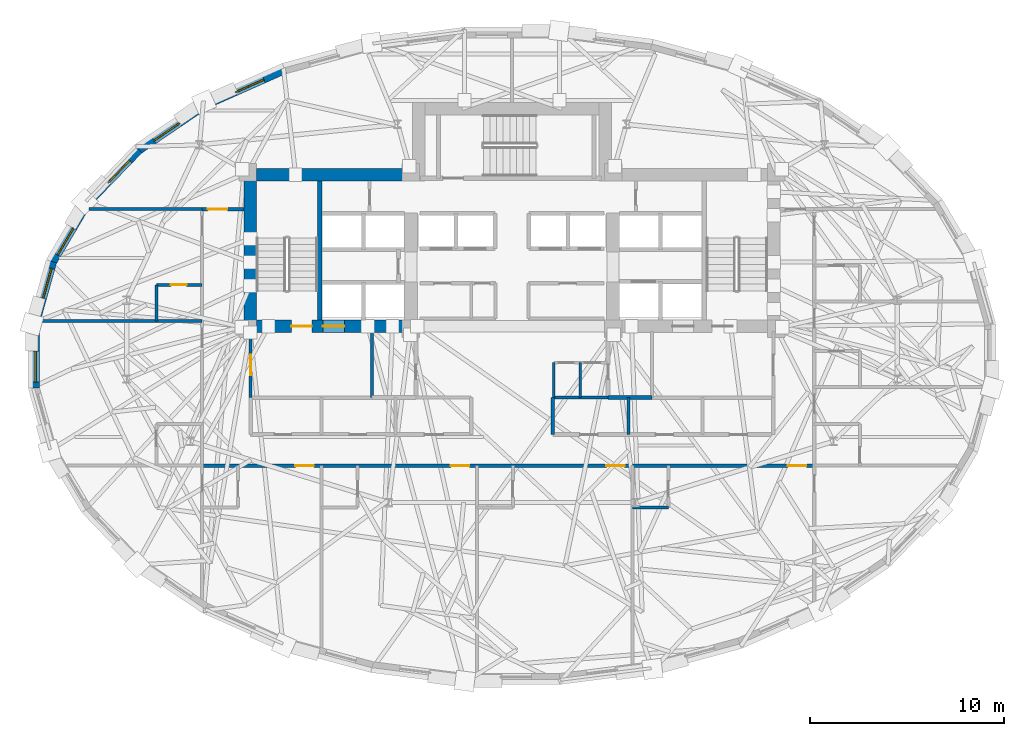
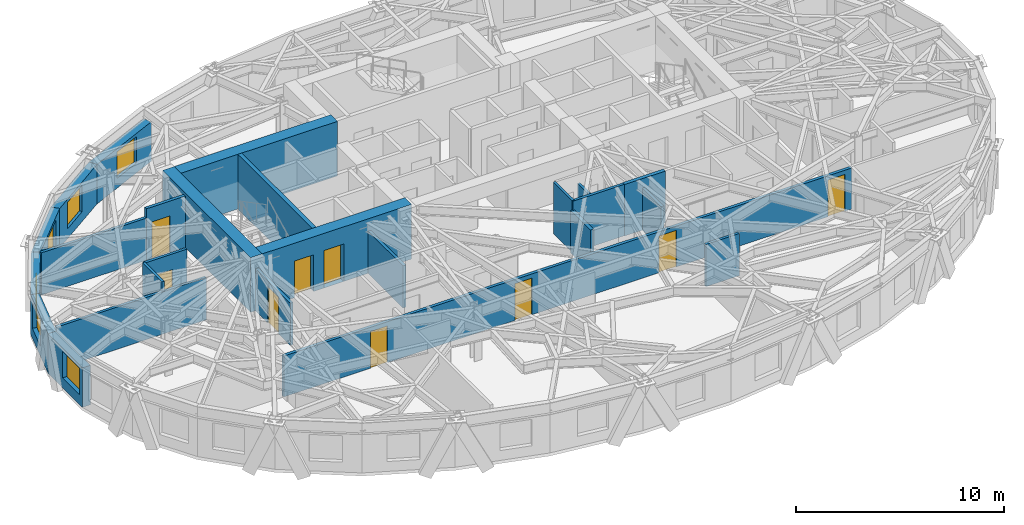
# One storey, part 7 of 15: 25 walls, 9 doors, 6 windows, 15 openings.
"""IFC4 building model written with IfcOpenShell, lengths in metres."""

from ifc_helpers import new_model, si_unit, direction, frame, frame_2d, origin, place, context, subcontext, project, spatial, rectangle, extrude, material, layer, layer_set, type_object, element, fill, save


model = new_model("IFC4")

# Units and contexts
model_context = context("Model", 3, precision=1e-05, world=origin(), true_north=direction((0.0, 1.0)))
body_context = subcontext(model_context, "Body", "Model", "MODEL_VIEW")
ifc_project = project(units=[si_unit("LENGTHUNIT", "METRE"), si_unit("AREAUNIT", "SQUARE_METRE"), si_unit("VOLUMEUNIT", "CUBIC_METRE"), si_unit("PLANEANGLEUNIT", "RADIAN"), si_unit("MASSUNIT", "GRAM", prefix="KILO")], contexts=[model_context])

# Site, building, storey
site_placement = place(None, origin())
site = spatial("IfcSite", under=ifc_project, at=site_placement, CompositionType="ELEMENT")
building_placement = place(site_placement, origin())
building = spatial("IfcBuilding", under=site, at=building_placement, Name="Keldmark Tower", CompositionType="ELEMENT")
storey_placement = place(building_placement, frame((0.0, 0.0, 163.0)))
storey = spatial("IfcBuildingStorey", under=building, at=storey_placement, Name="L44", CompositionType="ELEMENT", Elevation=163.0)

# Walls
ifc_material_1 = material(Name="Heavy Acoustic Plumbing Chase Gypsum Assembly", Category="gypsum")
ifc_layer_1 = layer(ifc_material_1, 0.18994140625)
ifc_layer_set_1 = layer_set([ifc_layer_1], Name="Heavy Acoustic Plumbing Chase Gypsum Assembly")
wall_type_1 = type_object("IfcWallType", Name="Heavy Wet Wall 190 mm", PredefinedType="PLUMBINGWALL", material=ifc_layer_set_1)
wall_1_placement = place(storey_placement, frame((2.10009765625, -4.050048828125, 0.0), z_axis=(0.0, 0.0, 1.0), x_axis=(0.0, 1.0, 0.0)))
element("IfcWall", 1, at=wall_1_placement, inside=storey, type_object=wall_type_1, Name="L44 Heavy Wet Wall 190 mm SPK-E-W", PredefinedType="PLUMBINGWALL", context=body_context, shape_type="SweptSolid", body=[
    extrude(rectangle(XDim=1.900146484375, YDim=0.18994140625, at=frame_2d((0.9501953125, 0.0))), origin(), (0.0, 0.0, 1.0), 2.472900390625),
])
ifc_material_2 = material(Name="Acoustic Gypsum Board Interior Partition", Category="gypsum")
ifc_layer_2 = layer(ifc_material_2, 0.1298828125)
ifc_layer_set_2 = layer_set([ifc_layer_2], Name="Acoustic Gypsum Board Interior Partition")
wall_type_2 = type_object("IfcWallType", Name="Interior Partition 130 mm", PredefinedType="PARTITIONING", material=ifc_layer_set_2)
wall_2_placement = place(storey_placement, frame((2.14990234375, -2.14990234375, 0.0), z_axis=(0.0, 0.0, 1.0), x_axis=(0.0, 1.0, 0.0)))
element("IfcWall", 2, at=wall_2_placement, inside=storey, type_object=wall_type_2, Name="L44 Interior Partition 130 mm CSC-E-W", PredefinedType="PARTITIONING", context=body_context, shape_type="SweptSolid", body=[
    extrude(rectangle(XDim=1.7998046875, YDim=0.1298828125, at=frame_2d((0.89990234375, 0.0))), origin(), (0.0, 0.0, 1.0), 3.02001953125),
])
wall_3_placement = place(storey_placement, frame((3.5, -2.14990234375, 0.0), z_axis=(0.0, 0.0, 1.0), x_axis=(0.0, 1.0, 0.0)))
element("IfcWall", 3, at=wall_3_placement, inside=storey, type_object=wall_type_2, Name="L44 Interior Partition 130 mm CSC-E-M", PredefinedType="PARTITIONING", context=body_context, shape_type="SweptSolid", body=[
    extrude(rectangle(XDim=1.7998046875, YDim=0.1298828125, at=frame_2d((0.89990234375, 0.0))), origin(), (0.0, 0.0, 1.0), 2.472900390625),
])

# Wall, opening, door
ifc_material_3 = material(Name="Type X Fire-Rated Gypsum Partition Assembly", Category="gypsum")
ifc_layer_3 = layer(ifc_material_3, 0.1650390625)
ifc_layer_set_3 = layer_set([ifc_layer_3], Name="Type X Fire-Rated Gypsum Partition Assembly")
wall_type_3 = type_object("IfcWallType", Name="Rated Partition 165 mm", PredefinedType="PARTITIONING", material=ifc_layer_set_3)
wall_4_placement = place(storey_placement, frame((-13.449951171875, -2.14990234375, 0.0), z_axis=(0.0, 0.0, 1.0), x_axis=(0.0, 1.0, 0.0)))
wall_4 = element("IfcWall", 4, at=wall_4_placement, inside=storey, type_object=wall_type_3, Name="L44 Rated Partition 165 mm FSAE-W-W", PredefinedType="PARTITIONING", context=body_context, shape_type="SweptSolid", body=[
    extrude(rectangle(XDim=3.39990234375, YDim=0.1650390625, at=frame_2d((1.699951171875, 0.0))), origin(), (0.0, 0.0, 1.0), 2.472900390625),
])
opening_1_placement = place(wall_4_placement, frame((1.14990234375, 0.0, 0.0)))
opening_1 = element("IfcOpeningElement", 5, at=opening_1_placement, cuts=wall_4, Name="Opening D-FL105", PredefinedType="OPENING", context=body_context, shape_type="SweptSolid", body=[
    extrude(rectangle(XDim=1.050048828125, YDim=2.14990234375, at=frame_2d((0.52490234375, 1.074951171875))), frame((0.0, 0.092529296875, 0.0), z_axis=(0.0, -1.0, 0.0), x_axis=(1.0, 0.0, 0.0)), (0.0, 0.0, 1.0), 0.18505859375),
])
ifc_material_4 = material(Name="Fire-Rated Mineral-Core Door and Vision Lite", Category="metal")
door_type_1 = type_object("IfcDoorType", Name="Fire Lobby Door 1050x2150", OperationType="NOTDEFINED", PredefinedType="DOOR", material=ifc_material_4)
door_1_placement = place(opening_1_placement, origin())
door_1 = element("IfcDoor", 6, at=door_1_placement, inside=storey, type_object=door_type_1, Name="L44 Fire Lobby Door 1050x2150 D-FSAEW-OUT-L44", OperationType="SINGLE_SWING_LEFT", OverallHeight=2.14990234375, OverallWidth=1.050048828125, PredefinedType="DOOR", context=body_context, shape_type="SweptSolid", body=[
    extrude(rectangle(XDim=1.050048828125, YDim=2.14990234375, at=frame_2d((0.52490234375, 1.074951171875))), frame((0.0, 0.02490234375, 0.0), z_axis=(0.0, -1.0, 0.0), x_axis=(1.0, 0.0, 0.0)), (0.0, 0.0, 1.0), 0.050048828125),
])
fill(opening_1, door_1)

# Wall
wall_5_placement = place(storey_placement, frame((-7.199951171875, -2.14990234375, 0.0), z_axis=(0.0, 0.0, 1.0), x_axis=(0.0, 1.0, 0.0)))
element("IfcWall", 7, at=wall_5_placement, inside=storey, type_object=wall_type_3, Name="L44 Rated Partition 165 mm FSAE-W-E", PredefinedType="PARTITIONING", context=body_context, shape_type="SweptSolid", body=[
    extrude(rectangle(XDim=3.39990234375, YDim=0.1650390625, at=frame_2d((1.699951171875, 0.0))), origin(), (0.0, 0.0, 1.0), 2.472900390625),
])

# Wall, openings, doors
wall_6_placement = place(storey_placement, frame((-15.949951171875, -5.64990234375, 0.0), z_axis=(0.0, 0.0, 1.0), x_axis=(1.0, 0.0, 0.0)))
wall_6 = element("IfcWall", 8, at=wall_6_placement, inside=storey, type_object=wall_type_3, Name="L44 Rated Partition 165 mm HCOR-S", PredefinedType="PARTITIONING", context=body_context, shape_type="SweptSolid", body=[
    extrude(rectangle(XDim=31.5, YDim=0.1650390625, at=frame_2d((15.75, 0.0))), origin(), (0.0, 0.0, 1.0), 2.39794921875),
])
opening_2_placement = place(wall_6_placement, frame((4.800048828125, 0.0, 0.0)))
opening_2 = element("IfcOpeningElement", 9, at=opening_2_placement, cuts=wall_6, Name="Opening D-HT095", PredefinedType="OPENING", context=body_context, shape_type="SweptSolid", body=[
    extrude(rectangle(XDim=0.949951171875, YDim=2.14990234375, at=frame_2d((0.47509765625, 1.074951171875))), frame((0.0, 0.092529296875, 0.0), z_axis=(0.0, -1.0, 0.0), x_axis=(1.0, 0.0, 0.0)), (0.0, 0.0, 1.0), 0.18505859375),
])
opening_3_placement = place(wall_6_placement, frame((12.800048828125, 0.0, 0.0)))
opening_3 = element("IfcOpeningElement", 10, at=opening_3_placement, cuts=wall_6, Name="Opening D-HT095", PredefinedType="OPENING", context=body_context, shape_type="SweptSolid", body=[
    extrude(rectangle(XDim=0.949951171875, YDim=2.14990234375, at=frame_2d((0.47509765625, 1.074951171875))), frame((0.0, 0.092529296875, 0.0), z_axis=(0.0, -1.0, 0.0), x_axis=(1.0, 0.0, 0.0)), (0.0, 0.0, 1.0), 0.18505859375),
])
opening_4_placement = place(wall_6_placement, frame((20.800048828125, 0.0, 0.0)))
opening_4 = element("IfcOpeningElement", 11, at=opening_4_placement, cuts=wall_6, Name="Opening D-HT095", PredefinedType="OPENING", context=body_context, shape_type="SweptSolid", body=[
    extrude(rectangle(XDim=0.949951171875, YDim=2.14990234375, at=frame_2d((0.47509765625, 1.074951171875))), frame((0.0, 0.092529296875, 0.0), z_axis=(0.0, -1.0, 0.0), x_axis=(1.0, 0.0, 0.0)), (0.0, 0.0, 1.0), 0.18505859375),
])
opening_5_placement = place(wall_6_placement, frame((30.14990234375, 0.0, 0.0)))
opening_5 = element("IfcOpeningElement", 12, at=opening_5_placement, cuts=wall_6, Name="Opening D-HT095", PredefinedType="OPENING", context=body_context, shape_type="SweptSolid", body=[
    extrude(rectangle(XDim=0.949951171875, YDim=2.14990234375, at=frame_2d((0.47509765625, 1.074951171875))), frame((0.0, 0.092529296875, 0.0), z_axis=(0.0, -1.0, 0.0), x_axis=(1.0, 0.0, 0.0)), (0.0, 0.0, 1.0), 0.18505859375),
])
ifc_material_5 = material(Name="Solid-Core Acoustic White Oak Fire-Rated Assembly", Category="wood")
door_type_2 = type_object("IfcDoorType", Name="Hotel Entry Door 950x2150", OperationType="NOTDEFINED", PredefinedType="DOOR", material=ifc_material_5)
door_2_placement = place(opening_2_placement, origin())
door_2 = element("IfcDoor", 13, at=door_2_placement, inside=storey, type_object=door_type_2, Name="L44 Hotel Entry Door 950x2150 D-HRS1-L44", OperationType="SINGLE_SWING_RIGHT", OverallHeight=2.14990234375, OverallWidth=0.949951171875, PredefinedType="DOOR", context=body_context, shape_type="SweptSolid", body=[
    extrude(rectangle(XDim=0.949951171875, YDim=2.14990234375, at=frame_2d((0.47509765625, 1.074951171875))), frame((0.0, 0.02490234375, 0.0), z_axis=(0.0, -1.0, 0.0), x_axis=(1.0, 0.0, 0.0)), (0.0, 0.0, 1.0), 0.050048828125),
])
fill(opening_2, door_2)
door_3_placement = place(opening_3_placement, origin())
door_3 = element("IfcDoor", 14, at=door_3_placement, inside=storey, type_object=door_type_2, Name="L44 Hotel Entry Door 950x2150 D-HRS2-L44", OperationType="SINGLE_SWING_LEFT", OverallHeight=2.14990234375, OverallWidth=0.949951171875, PredefinedType="DOOR", context=body_context, shape_type="SweptSolid", body=[
    extrude(rectangle(XDim=0.949951171875, YDim=2.14990234375, at=frame_2d((0.47509765625, 1.074951171875))), frame((0.0, 0.02490234375, 0.0), z_axis=(0.0, -1.0, 0.0), x_axis=(1.0, 0.0, 0.0)), (0.0, 0.0, 1.0), 0.050048828125),
])
fill(opening_3, door_3)
door_4_placement = place(opening_4_placement, origin())
door_4 = element("IfcDoor", 15, at=door_4_placement, inside=storey, type_object=door_type_2, Name="L44 Hotel Entry Door 950x2150 D-HRS3-L44", OperationType="SINGLE_SWING_RIGHT", OverallHeight=2.14990234375, OverallWidth=0.949951171875, PredefinedType="DOOR", context=body_context, shape_type="SweptSolid", body=[
    extrude(rectangle(XDim=0.949951171875, YDim=2.14990234375, at=frame_2d((0.47509765625, 1.074951171875))), frame((0.0, 0.02490234375, 0.0), z_axis=(0.0, -1.0, 0.0), x_axis=(1.0, 0.0, 0.0)), (0.0, 0.0, 1.0), 0.050048828125),
])
fill(opening_4, door_4)
door_5_placement = place(opening_5_placement, origin())
door_5 = element("IfcDoor", 16, at=door_5_placement, inside=storey, type_object=door_type_2, Name="L44 Hotel Entry Door 950x2150 D-HRS4-L44", OperationType="SINGLE_SWING_LEFT", OverallHeight=2.14990234375, OverallWidth=0.949951171875, PredefinedType="DOOR", context=body_context, shape_type="SweptSolid", body=[
    extrude(rectangle(XDim=0.949951171875, YDim=2.14990234375, at=frame_2d((0.47509765625, 1.074951171875))), frame((0.0, 0.02490234375, 0.0), z_axis=(0.0, -1.0, 0.0), x_axis=(1.0, 0.0, 0.0)), (0.0, 0.0, 1.0), 0.050048828125),
])
fill(opening_5, door_5)

# Wall, opening, door
wall_7_placement = place(storey_placement, frame((-15.949951171875, 7.550048828125, 0.0), z_axis=(0.0, 0.0, 1.0), x_axis=(1.0, 0.0, 0.0)))
wall_7 = element("IfcWall", 17, at=wall_7_placement, inside=storey, type_object=wall_type_3, Name="L44 Rated Partition 165 mm HCOR-WN", PredefinedType="PARTITIONING", context=body_context, shape_type="SweptSolid", body=[
    extrude(rectangle(XDim=2.14990234375, YDim=0.1650390625, at=frame_2d((1.074951171875, 0.0))), origin(), (0.0, 0.0, 1.0), 3.02001953125),
])
opening_6_placement = place(wall_7_placement, frame((0.300048828125, 0.0, 0.0)))
opening_6 = element("IfcOpeningElement", 18, at=opening_6_placement, cuts=wall_7, Name="Opening D-FD100", PredefinedType="OPENING", context=body_context, shape_type="SweptSolid", body=[
    extrude(rectangle(XDim=1.0, YDim=2.14990234375, at=frame_2d((0.5, 1.074951171875))), frame((0.0, 0.092529296875, 0.0), z_axis=(0.0, -1.0, 0.0), x_axis=(1.0, 0.0, 0.0)), (0.0, 0.0, 1.0), 0.18505859375),
])
ifc_material_6 = material(Name="Hollow Metal Fire-Rated Corridor Door", Category="metal")
door_type_3 = type_object("IfcDoorType", Name="Fire Door 1000x2150", OperationType="NOTDEFINED", PredefinedType="DOOR", material=ifc_material_6)
door_6_placement = place(opening_6_placement, origin())
door_6 = element("IfcDoor", 19, at=door_6_placement, inside=storey, type_object=door_type_3, Name="L44 Fire Door 1000x2150 D-HNNW-L44", OperationType="SINGLE_SWING_LEFT", OverallHeight=2.14990234375, OverallWidth=1.0, PredefinedType="DOOR", context=body_context, shape_type="SweptSolid", body=[
    extrude(rectangle(XDim=1.0, YDim=2.14990234375, at=frame_2d((0.5, 1.074951171875))), frame((0.0, 0.02490234375, 0.0), z_axis=(0.0, -1.0, 0.0), x_axis=(1.0, 0.0, 0.0)), (0.0, 0.0, 1.0), 0.050048828125),
])
fill(opening_6, door_6)

# Walls
ifc_material_7 = material(Name="Fire-Resistant Type X Gypsum Shaftliner Coreboard", Category="gypsum")
ifc_layer_4 = layer(ifc_material_7, 0.199951171875)
ifc_layer_set_4 = layer_set([ifc_layer_4], Name="Fire-Resistant Type X Gypsum Shaftliner Coreboard")
wall_type_4 = type_object("IfcWallType", Name="Shaft Wall 200 mm", PredefinedType="SOLIDWALL", material=ifc_layer_set_4)
wall_8_placement = place(storey_placement, frame((4.949951171875, -2.14990234375, 0.0), z_axis=(0.0, 0.0, 1.0), x_axis=(1.0, 0.0, 0.0)))
element("IfcWall", 20, at=wall_8_placement, inside=storey, type_object=wall_type_4, Name="L44 Shaft Wall 200 mm RIS-SE-S", PredefinedType="SOLIDWALL", context=body_context, shape_type="SweptSolid", body=[
    extrude(rectangle(XDim=2.25, YDim=0.199951171875, at=frame_2d((1.125, 0.0))), origin(), (0.0, 0.0, 1.0), 3.02001953125),
])
ifc_material_8 = material(Name="Concrete C50/60", Category="concrete")
ifc_layer_5 = layer(ifc_material_8, 0.219970703125)
ifc_layer_set_5 = layer_set([ifc_layer_5], Name="Concrete C50/60")
wall_type_5 = type_object("IfcWallType", Name="Stair Core Shear Wall 220 mm", PredefinedType="SHEAR", material=ifc_layer_set_5)
wall_9_placement = place(storey_placement, frame((-9.889892578125, 1.85009765625, 0.0), z_axis=(0.0, 0.0, 1.0), x_axis=(0.0, 1.0, 0.0)))
element("IfcWall", 21, at=wall_9_placement, inside=storey, type_object=wall_type_5, Name="L44 West Stair Core Shear Wall", PredefinedType="SHEAR", context=body_context, shape_type="SweptSolid", body=[
    extrude(rectangle(XDim=7.14990234375, YDim=0.219970703125, at=frame_2d((3.574951171875, 0.0))), origin(), (0.0, 0.0, 1.0), 3.199951171875),
])

# Wall, opening, window
ifc_material_9 = material(Name="Ironspot Manganese Brick and Kasota Buff Limestone Spandrel Assembly", Category="masonry")
ifc_layer_6 = layer(ifc_material_9, 0.43994140625)
ifc_layer_set_6 = layer_set([ifc_layer_6], Name="Ironspot Manganese Brick and Kasota Buff Limestone Spandrel Assembly")
wall_type_6 = type_object("IfcWallType", Name="Tower Brick Pier and Spandrel Wall 440 mm", PredefinedType="STANDARD", material=ifc_layer_set_6)
wall_10_placement = place(storey_placement, frame((-15.790771484375, 12.91552734375, 0.0), z_axis=(0.0, 0.0, 1.0), x_axis=(0.913907994914, 0.405921392431, 0.0)))
wall_10 = element("IfcWall", 22, at=wall_10_placement, inside=storey, type_object=wall_type_6, Name="L44 Exterior Brick and Spandrel Wall 11", PredefinedType="STANDARD", context=body_context, shape_type="SweptSolid", body=[
    extrude(rectangle(XDim=4.4873046875, YDim=0.43994140625, at=frame_2d((2.24365234375, 0.0))), origin(), (0.0, 0.0, 1.0), 2.31494140625),
])
opening_7_placement = place(wall_10_placement, frame((1.6923828125, 0.0, 0.580078125)))
opening_7 = element("IfcOpeningElement", 23, at=opening_7_placement, cuts=wall_10, Name="Opening W-04", PredefinedType="OPENING", context=body_context, shape_type="SweptSolid", body=[
    extrude(rectangle(XDim=1.60009765625, YDim=1.550048828125, at=frame_2d((0.800048828125, 0.77490234375))), frame((0.0, 0.22998046875, 0.0), z_axis=(0.0, -1.0, 0.0), x_axis=(1.0, 0.0, 0.0)), (0.0, 0.0, 1.0), 0.4599609375),
])
ifc_material_10 = material(Name="Thermally Broken Anodized Aluminum and Triple Low-E Argon Glazing", Category="aluminium")
window_type = type_object("IfcWindowType", Name="Hotel Deep-Set Operable Window 1600x1550", PartitioningType="DOUBLE_PANEL_HORIZONTAL", PredefinedType="WINDOW", material=ifc_material_10)
window_1_placement = place(opening_7_placement, origin())
window_1 = element("IfcWindow", 24, at=window_1_placement, inside=storey, type_object=window_type, Name="L44 Deep-Set Window 11", OverallHeight=1.550048828125, OverallWidth=1.60009765625, PartitioningType="SINGLE_PANEL", PredefinedType="WINDOW", context=body_context, shape_type="SweptSolid", body=[
    extrude(rectangle(XDim=1.60009765625, YDim=1.550048828125, at=frame_2d((0.800048828125, 0.77490234375))), frame((0.0, -0.010009765625, 0.0), z_axis=(0.0, -1.0, 0.0), x_axis=(1.0, 0.0, 0.0)), (0.0, 0.0, 1.0), 0.06005859375),
])
fill(opening_7, window_1)

wall_11_placement = place(storey_placement, frame((-19.2265625, 10.58251953125, 0.0), z_axis=(0.0, 0.0, 1.0), x_axis=(0.827760762475, 0.561081206338, 0.0)))
wall_11 = element("IfcWall", 25, at=wall_11_placement, inside=storey, type_object=wall_type_6, Name="L44 Exterior Brick and Spandrel Wall 12", PredefinedType="STANDARD", context=body_context, shape_type="SweptSolid", body=[
    extrude(rectangle(XDim=4.19189453125, YDim=0.43994140625, at=frame_2d((2.095947265625, 0.0))), origin(), (0.0, 0.0, 1.0), 2.31494140625),
])
opening_8_placement = place(wall_11_placement, frame((0.947265625, 0.0, 0.580078125)))
opening_8 = element("IfcOpeningElement", 26, at=opening_8_placement, cuts=wall_11, Name="Opening W-04", PredefinedType="OPENING", context=body_context, shape_type="SweptSolid", body=[
    extrude(rectangle(XDim=1.60009765625, YDim=1.550048828125, at=frame_2d((0.800048828125, 0.77490234375))), frame((0.0, 0.22998046875, 0.0), z_axis=(0.0, -1.0, 0.0), x_axis=(1.0, 0.0, 0.0)), (0.0, 0.0, 1.0), 0.4599609375),
])
window_2_placement = place(opening_8_placement, origin())
window_2 = element("IfcWindow", 27, at=window_2_placement, inside=storey, type_object=window_type, Name="L44 Deep-Set Window 12", OverallHeight=1.550048828125, OverallWidth=1.60009765625, PartitioningType="SINGLE_PANEL", PredefinedType="WINDOW", context=body_context, shape_type="SweptSolid", body=[
    extrude(rectangle(XDim=1.60009765625, YDim=1.550048828125, at=frame_2d((0.800048828125, 0.77490234375))), frame((0.0, -0.010009765625, 0.0), z_axis=(0.0, -1.0, 0.0), x_axis=(1.0, 0.0, 0.0)), (0.0, 0.0, 1.0), 0.06005859375),
])
fill(opening_8, window_2)

wall_12_placement = place(storey_placement, frame((-21.878662109375, 7.831787109375, 0.0), z_axis=(0.0, 0.0, 1.0), x_axis=(0.694975307772, 0.719033602544, 0.0)))
wall_12 = element("IfcWall", 28, at=wall_12_placement, inside=storey, type_object=wall_type_6, Name="L44 Exterior Brick and Spandrel Wall 13", PredefinedType="STANDARD", context=body_context, shape_type="SweptSolid", body=[
    extrude(rectangle(XDim=3.866455078125, YDim=0.43994140625, at=frame_2d((1.93310546875, 0.0))), origin(), (0.0, 0.0, 1.0), 2.31494140625),
])
opening_9_placement = place(wall_12_placement, frame((1.52587890625, 0.0, 0.580078125)))
opening_9 = element("IfcOpeningElement", 29, at=opening_9_placement, cuts=wall_12, Name="Opening W-04", PredefinedType="OPENING", context=body_context, shape_type="SweptSolid", body=[
    extrude(rectangle(XDim=1.60009765625, YDim=1.550048828125, at=frame_2d((0.800048828125, 0.77490234375))), frame((0.0, 0.22998046875, 0.0), z_axis=(0.0, -1.0, 0.0), x_axis=(1.0, 0.0, 0.0)), (0.0, 0.0, 1.0), 0.4599609375),
])
window_3_placement = place(opening_9_placement, origin())
window_3 = element("IfcWindow", 30, at=window_3_placement, inside=storey, type_object=window_type, Name="L44 Deep-Set Window 13", OverallHeight=1.550048828125, OverallWidth=1.60009765625, PartitioningType="SINGLE_PANEL", PredefinedType="WINDOW", context=body_context, shape_type="SweptSolid", body=[
    extrude(rectangle(XDim=1.60009765625, YDim=1.550048828125, at=frame_2d((0.800048828125, 0.77490234375))), frame((0.0, -0.010009765625, 0.0), z_axis=(0.0, -1.0, 0.0), x_axis=(1.0, 0.0, 0.0)), (0.0, 0.0, 1.0), 0.06005859375),
])
fill(opening_9, window_3)

wall_13_placement = place(storey_placement, frame((-23.66748046875, 4.793701171875, 0.0), z_axis=(0.0, 0.0, 1.0), x_axis=(0.508883387051, 0.860835465338, 0.0)))
wall_13 = element("IfcWall", 31, at=wall_13_placement, inside=storey, type_object=wall_type_6, Name="L44 Exterior Brick and Spandrel Wall 14", PredefinedType="STANDARD", context=body_context, shape_type="SweptSolid", body=[
    extrude(rectangle(XDim=3.57666015625, YDim=0.43994140625, at=frame_2d((1.788330078125, 0.0))), origin(), (0.0, 0.0, 1.0), 2.31494140625),
])
opening_10_placement = place(wall_13_placement, frame((0.49560546875, 0.0, 0.580078125)))
opening_10 = element("IfcOpeningElement", 32, at=opening_10_placement, cuts=wall_13, Name="Opening W-04", PredefinedType="OPENING", context=body_context, shape_type="SweptSolid", body=[
    extrude(rectangle(XDim=1.60009765625, YDim=1.550048828125, at=frame_2d((0.800048828125, 0.77490234375))), frame((0.0, 0.22998046875, 0.0), z_axis=(0.0, -1.0, 0.0), x_axis=(1.0, 0.0, 0.0)), (0.0, 0.0, 1.0), 0.4599609375),
])
window_4_placement = place(opening_10_placement, origin())
window_4 = element("IfcWindow", 33, at=window_4_placement, inside=storey, type_object=window_type, Name="L44 Deep-Set Window 14", OverallHeight=1.550048828125, OverallWidth=1.60009765625, PartitioningType="SINGLE_PANEL", PredefinedType="WINDOW", context=body_context, shape_type="SweptSolid", body=[
    extrude(rectangle(XDim=1.60009765625, YDim=1.550048828125, at=frame_2d((0.800048828125, 0.77490234375))), frame((0.0, -0.010009765625, 0.0), z_axis=(0.0, -1.0, 0.0), x_axis=(1.0, 0.0, 0.0)), (0.0, 0.0, 1.0), 0.06005859375),
])
fill(opening_10, window_4)

wall_14_placement = place(storey_placement, frame((-24.55419921875, 1.59423828125, 0.0), z_axis=(0.0, 0.0, 1.0), x_axis=(0.269235699479, 0.963074315993, 0.0)))
wall_14 = element("IfcWall", 34, at=wall_14_placement, inside=storey, type_object=wall_type_6, Name="L44 Exterior Brick and Spandrel Wall 15", PredefinedType="STANDARD", context=body_context, shape_type="SweptSolid", body=[
    extrude(rectangle(XDim=3.376953125, YDim=0.43994140625, at=frame_2d((1.6884765625, 0.0))), origin(), (0.0, 0.0, 1.0), 2.31494140625),
])
opening_11_placement = place(wall_14_placement, frame((1.429443359375, 0.0, 0.580078125)))
opening_11 = element("IfcOpeningElement", 35, at=opening_11_placement, cuts=wall_14, Name="Opening W-04", PredefinedType="OPENING", context=body_context, shape_type="SweptSolid", body=[
    extrude(rectangle(XDim=1.60009765625, YDim=1.550048828125, at=frame_2d((0.800048828125, 0.77490234375))), frame((0.0, 0.22998046875, 0.0), z_axis=(0.0, -1.0, 0.0), x_axis=(1.0, 0.0, 0.0)), (0.0, 0.0, 1.0), 0.4599609375),
])
window_5_placement = place(opening_11_placement, origin())
window_5 = element("IfcWindow", 36, at=window_5_placement, inside=storey, type_object=window_type, Name="L44 Deep-Set Window 15", OverallHeight=1.550048828125, OverallWidth=1.60009765625, PartitioningType="SINGLE_PANEL", PredefinedType="WINDOW", context=body_context, shape_type="SweptSolid", body=[
    extrude(rectangle(XDim=1.60009765625, YDim=1.550048828125, at=frame_2d((0.800048828125, 0.77490234375))), frame((0.0, -0.010009765625, 0.0), z_axis=(0.0, -1.0, 0.0), x_axis=(1.0, 0.0, 0.0)), (0.0, 0.0, 1.0), 0.06005859375),
])
fill(opening_11, window_5)

wall_15_placement = place(storey_placement, frame((-24.5458984375, -1.653564453125, 0.0), z_axis=(0.0, 0.0, 1.0), x_axis=(0.0, 1.0, 0.0)))
wall_15 = element("IfcWall", 37, at=wall_15_placement, inside=storey, type_object=wall_type_6, Name="L44 Exterior Brick and Spandrel Wall 16", PredefinedType="STANDARD", context=body_context, shape_type="SweptSolid", body=[
    extrude(rectangle(XDim=3.30712890625, YDim=0.43994140625, at=frame_2d((1.653564453125, 0.0))), origin(), (0.0, 0.0, 1.0), 2.31494140625),
])
opening_12_placement = place(wall_15_placement, frame((0.296875, 0.0, 0.580078125)))
opening_12 = element("IfcOpeningElement", 38, at=opening_12_placement, cuts=wall_15, Name="Opening W-04", PredefinedType="OPENING", context=body_context, shape_type="SweptSolid", body=[
    extrude(rectangle(XDim=1.60009765625, YDim=1.550048828125, at=frame_2d((0.800048828125, 0.77490234375))), frame((0.0, 0.22998046875, 0.0), z_axis=(0.0, -1.0, 0.0), x_axis=(1.0, 0.0, 0.0)), (0.0, 0.0, 1.0), 0.4599609375),
])
window_6_placement = place(opening_12_placement, origin())
window_6 = element("IfcWindow", 39, at=window_6_placement, inside=storey, type_object=window_type, Name="L44 Deep-Set Window 16", OverallHeight=1.550048828125, OverallWidth=1.60009765625, PartitioningType="SINGLE_PANEL", PredefinedType="WINDOW", context=body_context, shape_type="SweptSolid", body=[
    extrude(rectangle(XDim=1.60009765625, YDim=1.550048828125, at=frame_2d((0.800048828125, 0.77490234375))), frame((0.0, -0.010009765625, 0.0), z_axis=(0.0, -1.0, 0.0), x_axis=(1.0, 0.0, 0.0)), (0.0, 0.0, 1.0), 0.06005859375),
])
fill(opening_12, window_6)

# Walls
ifc_material_11 = material(Name="Concrete C50/60", Category="concrete")
ifc_layer_7 = layer(ifc_material_11, 0.64990234375)
ifc_layer_set_7 = layer_set([ifc_layer_7], Name="Concrete C50/60")
wall_type_7 = type_object("IfcWallType", Name="Upper-Mid Core Shear Wall 650 mm", PredefinedType="SHEAR", material=ifc_layer_set_7)
wall_16_placement = place(storey_placement, frame((-13.47509765625, 1.199951171875, 0.0), z_axis=(0.0, 0.0, 1.0), x_axis=(0.0, 1.0, 0.0)))
element("IfcWall", 40, at=wall_16_placement, inside=storey, type_object=wall_type_7, Name="L44 West Core Outer Shear Wall", PredefinedType="SHEAR", context=body_context, shape_type="SweptSolid", body=[
    extrude(rectangle(XDim=8.449951171875, YDim=0.64990234375, at=frame_2d((4.22509765625, 0.0))), origin(), (0.0, 0.0, 1.0), 3.199951171875),
])
wall_17_placement = place(storey_placement, frame((-13.800048828125, 9.324951171875, 0.0), z_axis=(0.0, 0.0, 1.0), x_axis=(1.0, 0.0, 0.0)))
element("IfcWall", 41, at=wall_17_placement, inside=storey, type_object=wall_type_7, Name="L44 West Core North Shear Wall", PredefinedType="SHEAR", context=body_context, shape_type="SweptSolid", body=[
    extrude(rectangle(XDim=9.324951171875, YDim=0.64990234375, at=frame_2d((4.66259765625, 0.0))), origin(), (0.0, 0.0, 1.0), 3.199951171875),
])

# Wall, openings, doors
wall_18_placement = place(storey_placement, frame((-4.875, 1.52490234375, 0.0), z_axis=(0.0, 0.0, 1.0), x_axis=(-1.0, 0.0, 0.0)))
wall_18 = element("IfcWall", 42, at=wall_18_placement, inside=storey, type_object=wall_type_7, Name="L44 West Core South Shear Wall", PredefinedType="SHEAR", context=body_context, shape_type="SweptSolid", body=[
    extrude(rectangle(XDim=8.925048828125, YDim=0.64990234375, at=frame_2d((4.46240234375, 0.0))), origin(), (0.0, 0.0, 1.0), 3.199951171875),
])
opening_13_placement = place(wall_18_placement, frame((5.425048828125, 0.0, 0.0)))
opening_13 = element("IfcOpeningElement", 43, at=opening_13_placement, cuts=wall_18, Name="Opening D-ST105", PredefinedType="OPENING", context=body_context, shape_type="SweptSolid", body=[
    extrude(rectangle(XDim=1.050048828125, YDim=2.14990234375, at=frame_2d((0.52490234375, 1.074951171875))), frame((0.0, 0.3349609375, 0.0), z_axis=(0.0, -1.0, 0.0), x_axis=(1.0, 0.0, 0.0)), (0.0, 0.0, 1.0), 0.669921875),
])
opening_14_placement = place(wall_18_placement, frame((3.7548828125, 0.0, 0.0)))
opening_14 = element("IfcOpeningElement", 44, at=opening_14_placement, cuts=wall_18, Name="Opening LD-110", PredefinedType="OPENING", context=body_context, shape_type="SweptSolid", body=[
    extrude(rectangle(XDim=1.10009765625, YDim=2.199951171875, at=frame_2d((0.550048828125, 1.10009765625))), frame((0.0, 0.3349609375, 0.0), z_axis=(0.0, -1.0, 0.0), x_axis=(1.0, 0.0, 0.0)), (0.0, 0.0, 1.0), 0.669921875),
])
ifc_material_12 = material(Name="Brushed Bronze Hoistway Sliding Leaf", Category="metal")
door_type_4 = type_object("IfcDoorType", Name="Lift Landing Sliding Door 1100x2200", OperationType="SLIDING_TO_LEFT", PredefinedType="DOOR", material=ifc_material_12)
door_7_placement = place(opening_14_placement, origin())
door_7 = element("IfcDoor", 45, at=door_7_placement, inside=storey, type_object=door_type_4, Name="L44 Lift Landing Sliding Door 1100x2200 LD-EL-FS1-L44", OperationType="SLIDING_TO_LEFT", OverallHeight=2.199951171875, OverallWidth=1.10009765625, PredefinedType="DOOR", context=body_context, shape_type="SweptSolid", body=[
    extrude(rectangle(XDim=1.10009765625, YDim=2.199951171875, at=frame_2d((0.550048828125, 1.10009765625))), frame((0.0, 0.02490234375, 0.0), z_axis=(0.0, -1.0, 0.0), x_axis=(1.0, 0.0, 0.0)), (0.0, 0.0, 1.0), 0.050048828125),
])
fill(opening_14, door_7)
ifc_material_13 = material(Name="Hollow Metal Fire-Rated Door Assembly", Category="metal")
door_type_5 = type_object("IfcDoorType", Name="Stair Fire Door 1050x2150", OperationType="NOTDEFINED", PredefinedType="DOOR", material=ifc_material_13)
door_8_placement = place(opening_13_placement, origin())
door_8 = element("IfcDoor", 46, at=door_8_placement, inside=storey, type_object=door_type_5, Name="L44 Stair Fire Door 1050x2150 D-ST1-L44", OperationType="SINGLE_SWING_RIGHT", OverallHeight=2.14990234375, OverallWidth=1.050048828125, PredefinedType="DOOR", context=body_context, shape_type="SweptSolid", body=[
    extrude(rectangle(XDim=1.050048828125, YDim=2.14990234375, at=frame_2d((0.52490234375, 1.074951171875))), frame((0.0, 0.02490234375, 0.0), z_axis=(0.0, -1.0, 0.0), x_axis=(1.0, 0.0, 0.0)), (0.0, 0.0, 1.0), 0.050048828125),
])
fill(opening_13, door_8)

# Walls
ifc_material_14 = material(Name="Moisture-Resistant Gypsum Plumbing Partition", Category="gypsum")
ifc_layer_8 = layer(ifc_material_14, 0.14990234375)
ifc_layer_set_8 = layer_set([ifc_layer_8], Name="Moisture-Resistant Gypsum Plumbing Partition")
wall_type_8 = type_object("IfcWallType", Name="Wet Wall 150 mm", PredefinedType="PLUMBINGWALL", material=ifc_layer_set_8)
wall_19_placement = place(storey_placement, frame((2.10009765625, -2.14990234375, 0.0), z_axis=(0.0, 0.0, 1.0), x_axis=(1.0, 0.0, 0.0)))
element("IfcWall", 47, at=wall_19_placement, inside=storey, type_object=wall_type_8, Name="L44 Wet Wall 150 mm SPK-E-N", PredefinedType="PLUMBINGWALL", context=body_context, shape_type="SweptSolid", body=[
    extrude(rectangle(XDim=2.849853515625, YDim=0.14990234375, at=frame_2d((1.4248046875, 0.0))), origin(), (0.0, 0.0, 1.0), 3.02001953125),
])
wall_20_placement = place(storey_placement, frame((6.0, -4.050048828125, 0.0), z_axis=(0.0, 0.0, 1.0), x_axis=(0.0, 1.0, 0.0)))
element("IfcWall", 48, at=wall_20_placement, inside=storey, type_object=wall_type_8, Name="L44 Wet Wall 150 mm SPK-E-D1", PredefinedType="PLUMBINGWALL", context=body_context, shape_type="SweptSolid", body=[
    extrude(rectangle(XDim=1.900146484375, YDim=0.14990234375, at=frame_2d((0.9501953125, 0.0))), origin(), (0.0, 0.0, 1.0), 2.472900390625),
])
wall_21_placement = place(storey_placement, frame((-21.773193359375, 7.550048828125, 0.0), z_axis=(0.0, 0.0, 1.0), x_axis=(1.0, 0.0, 0.0)))
element("IfcWall", 49, at=wall_21_placement, inside=storey, type_object=wall_type_8, Name="L44 Wet Wall 150 mm HW-CAP-N", PredefinedType="PLUMBINGWALL", context=body_context, shape_type="SweptSolid", body=[
    extrude(rectangle(XDim=5.8232421875, YDim=0.14990234375, at=frame_2d((2.91162109375, 0.0))), origin(), (0.0, 0.0, 1.0), 2.472900390625),
])
wall_22_placement = place(storey_placement, frame((6.199951171875, -7.800048828125, 0.0), z_axis=(0.0, 0.0, 1.0), x_axis=(1.0, 0.0, 0.0)))
element("IfcWall", 50, at=wall_22_placement, inside=storey, type_object=wall_type_8, Name="L44 Wet Wall 150 mm HB-S4-S", PredefinedType="PLUMBINGWALL", context=body_context, shape_type="SweptSolid", body=[
    extrude(rectangle(XDim=1.85009765625, YDim=0.14990234375, at=frame_2d((0.925048828125, 0.0))), origin(), (0.0, 0.0, 1.0), 2.472900390625),
])
wall_23_placement = place(storey_placement, frame((-24.260009765625, 1.800048828125, 0.0), z_axis=(0.0, 0.0, 1.0), x_axis=(1.0, 0.0, 0.0)))
element("IfcWall", 51, at=wall_23_placement, inside=storey, type_object=wall_type_8, Name="L44 Wet Wall 150 mm HW-DIV-1", PredefinedType="PLUMBINGWALL", context=body_context, shape_type="SweptSolid", body=[
    extrude(rectangle(XDim=8.31005859375, YDim=0.14990234375, at=frame_2d((4.155029296875, 0.0))), origin(), (0.0, 0.0, 1.0), 2.472900390625),
])

# Wall, opening, door
wall_24_placement = place(storey_placement, frame((-18.300048828125, 3.64990234375, 0.0), z_axis=(0.0, 0.0, 1.0), x_axis=(1.0, 0.0, 0.0)))
wall_24 = element("IfcWall", 52, at=wall_24_placement, inside=storey, type_object=wall_type_8, Name="L44 Wet Wall 150 mm HB-6-N", PredefinedType="PLUMBINGWALL", context=body_context, shape_type="SweptSolid", body=[
    extrude(rectangle(XDim=2.35009765625, YDim=0.14990234375, at=frame_2d((1.175048828125, 0.0))), origin(), (0.0, 0.0, 1.0), 3.02001953125),
])
opening_15_placement = place(wall_24_placement, frame((0.75, 0.0, 0.0)))
opening_15 = element("IfcOpeningElement", 53, at=opening_15_placement, cuts=wall_24, Name="Opening D-BT080", PredefinedType="OPENING", context=body_context, shape_type="SweptSolid", body=[
    extrude(rectangle(XDim=0.800048828125, YDim=2.10009765625, at=frame_2d((0.39990234375, 1.050048828125))), frame((0.0, 0.0849609375, 0.0), z_axis=(0.0, -1.0, 0.0), x_axis=(1.0, 0.0, 0.0)), (0.0, 0.0, 1.0), 0.169921875),
])
ifc_material_15 = material(Name="Moisture-Sealed Stained Wood", Category="wood")
door_type_6 = type_object("IfcDoorType", Name="Bathroom Door 800x2100", OperationType="NOTDEFINED", PredefinedType="DOOR", material=ifc_material_15)
door_9_placement = place(opening_15_placement, origin())
door_9 = element("IfcDoor", 54, at=door_9_placement, inside=storey, type_object=door_type_6, Name="L44 Bathroom Door 800x2100 D-HB-6-L44", OperationType="SINGLE_SWING_LEFT", OverallHeight=2.10009765625, OverallWidth=0.800048828125, PredefinedType="DOOR", context=body_context, shape_type="SweptSolid", body=[
    extrude(rectangle(XDim=0.800048828125, YDim=2.10009765625, at=frame_2d((0.39990234375, 1.050048828125))), frame((0.0, 0.02490234375, 0.0), z_axis=(0.0, -1.0, 0.0), x_axis=(1.0, 0.0, 0.0)), (0.0, 0.0, 1.0), 0.050048828125),
])
fill(opening_15, door_9)

# Wall
wall_25_placement = place(storey_placement, frame((-18.300048828125, 1.800048828125, 0.0), z_axis=(0.0, 0.0, 1.0), x_axis=(0.0, 1.0, 0.0)))
element("IfcWall", 55, at=wall_25_placement, inside=storey, type_object=wall_type_8, Name="L44 Wet Wall 150 mm HB-6-IN", PredefinedType="PLUMBINGWALL", context=body_context, shape_type="SweptSolid", body=[
    extrude(rectangle(XDim=1.849853515625, YDim=0.14990234375, at=frame_2d((0.9248046875, 0.0))), origin(), (0.0, 0.0, 1.0), 3.02001953125),
])

save(model, "model.ifc")
